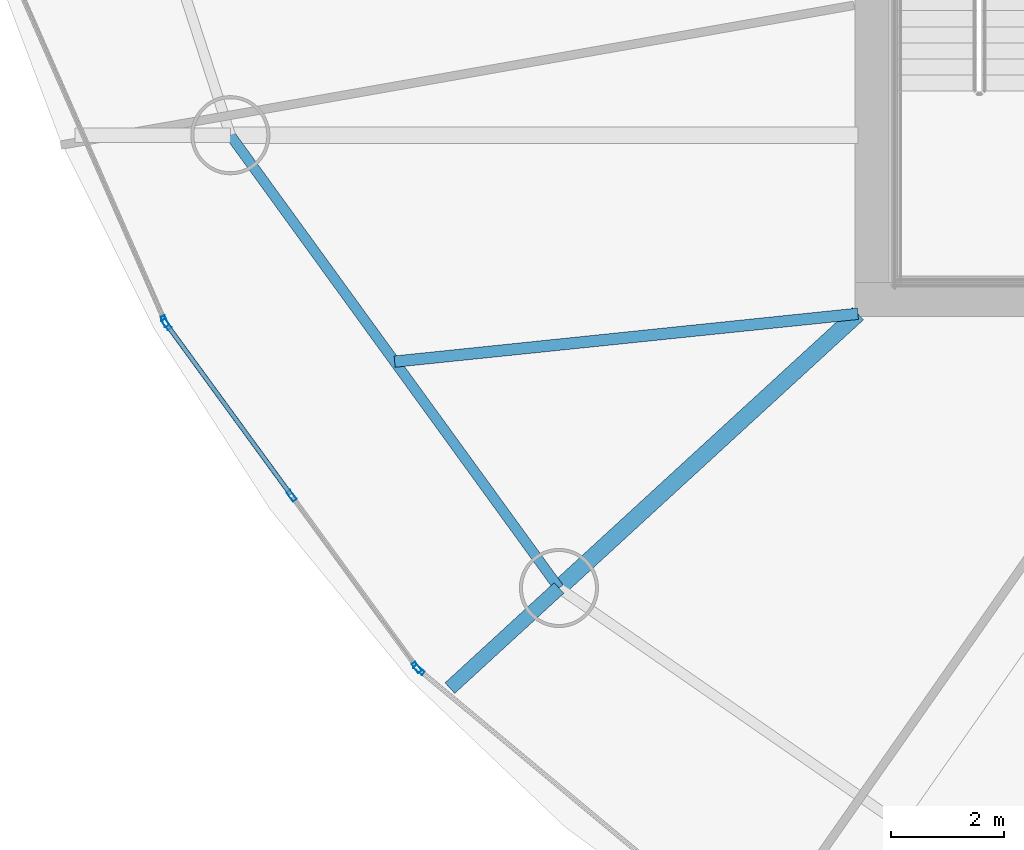
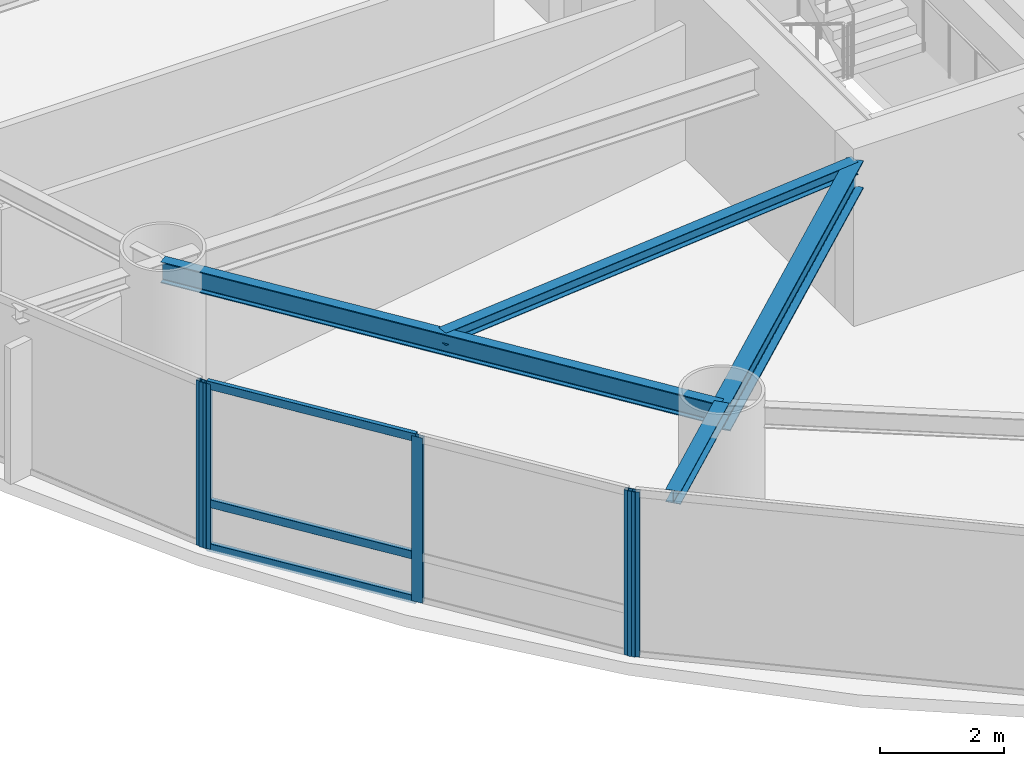
# One storey, part 3 of 23: 8 members, 4 beams, 3 elements without a shape of their own.
"""IFC4 building model written with IfcOpenShell, lengths in metres."""

from ifc_helpers import new_model, si_unit, direction, frame, origin, origin_2d, place, context, subcontext, project, spatial, hollow_rectangle, i_section, extrude, material, layer, layer_set, material_profile, profile_set, type_object, element, aggregate, save


model = new_model("IFC4")

# Units and contexts
model_context = context("Model", 3, precision=1e-05, world=origin(), true_north=direction((0.0, 1.0)))
body_context = subcontext(model_context, "Body", "Model", "MODEL_VIEW")
ifc_project = project(units=[si_unit("LENGTHUNIT", "METRE"), si_unit("AREAUNIT", "SQUARE_METRE"), si_unit("VOLUMEUNIT", "CUBIC_METRE"), si_unit("PLANEANGLEUNIT", "RADIAN"), si_unit("MASSUNIT", "GRAM", prefix="KILO")], contexts=[model_context])

# Site, building, storey
site_placement = place(None, origin())
site = spatial("IfcSite", under=ifc_project, at=site_placement, CompositionType="ELEMENT")
building_placement = place(site_placement, origin())
building = spatial("IfcBuilding", under=site, at=building_placement, Name="Bramvorn Convention Spire", CompositionType="ELEMENT")
storey_placement = place(building_placement, frame((0.0, 0.0, 158.800048828125)))
storey = spatial("IfcBuildingStorey", under=building, at=storey_placement, Name="L40", CompositionType="ELEMENT", Elevation=158.800048828125)

# Beams
ifc_material_1 = material(Name="Steel CSA G40.21 Grade 350 (350W)", Category="steel")
ifc_material_profile_1 = material_profile(ifc_material_1, i_section(OverallWidth=0.201904296875, OverallDepth=0.2470703125, WebThickness=0.00732421875, FlangeThickness=0.010986328125, FilletRadius=0.011962890625, at=origin_2d()))
ifc_profile_set_1 = profile_set([ifc_material_profile_1], Name="Steel CSA G40.21 Grade 350 (350W) - W250X49")
beam_type_1 = type_object("IfcBeamType", Name="BM-W250X49", PredefinedType="JOIST", material=ifc_profile_set_1)
beam_1_placement = place(storey_placement, frame((26.75, 18.550048828125, 3.136474609375), z_axis=(-0.994705076194, -0.102770673804, 0.0), x_axis=(0.102770673804, -0.994705076194, 0.0)))
element("IfcBeam", 1, at=beam_1_placement, inside=storey, type_object=beam_type_1, Name="L40 composite floor joist 11", PredefinedType="JOIST", context=body_context, shape_type="SweptSolid", body=[
    extrude(i_section(OverallWidth=0.201904296875, OverallDepth=0.2470703125, WebThickness=0.00732421875, FlangeThickness=0.010986328125, FilletRadius=0.011962890625, at=origin_2d()), origin(), (0.0, 0.0, 1.0), 8.23388671875),
])
ifc_material_profile_2 = material_profile(ifc_material_1, i_section(OverallWidth=0.25390625, OverallDepth=0.2529296875, WebThickness=0.008544921875, FlangeThickness=0.01416015625, FilletRadius=0.011962890625, at=origin_2d()))
ifc_profile_set_2 = profile_set([ifc_material_profile_2], Name="Steel CSA G40.21 Grade 350 (350W) - W250X73")
beam_type_2 = type_object("IfcBeamType", Name="BM-W250X73", PredefinedType="BEAM", material=ifc_profile_set_2)
beam_2_placement = place(storey_placement, frame((21.465087890625, 13.700927734375, 3.133544921875), z_axis=(-0.736809527921, -0.676100376842, 0.0), x_axis=(0.676100376842, -0.736809527921, 0.0)))
element("IfcBeam", 2, at=beam_2_placement, inside=storey, type_object=beam_type_2, Name="L40 slab-edge cantilever tip beam MC12", PredefinedType="BEAM", context=body_context, shape_type="SweptSolid", body=[
    extrude(i_section(OverallWidth=0.25390625, OverallDepth=0.2529296875, WebThickness=0.008544921875, FlangeThickness=0.01416015625, FilletRadius=0.011962890625, at=origin_2d()), origin(), (0.0, 0.0, 1.0), 2.617919921875),
])
ifc_material_profile_3 = material_profile(ifc_material_1, i_section(OverallWidth=0.180908203125, OverallDepth=0.4169921875, WebThickness=0.010986328125, FlangeThickness=0.018310546875, FilletRadius=0.01611328125, at=origin_2d()))
ifc_profile_set_3 = profile_set([ifc_material_profile_3], Name="Steel CSA G40.21 Grade 350 (350W) - W410X85")
beam_type_3 = type_object("IfcBeamType", Name="BM-W410X85", PredefinedType="JOIST", material=ifc_profile_set_3)
beam_3_placement = place(storey_placement, frame((15.654296875, 21.706787109375, 3.051513671875), z_axis=(0.587401024629, -0.809296012757, 0.0), x_axis=(0.809296012757, 0.587401024629, 0.0)))
element("IfcBeam", 3, at=beam_3_placement, inside=storey, type_object=beam_type_3, Name="L40 mega-column ring beam 11", PredefinedType="JOIST", context=body_context, shape_type="SweptSolid", body=[
    extrude(i_section(OverallWidth=0.180908203125, OverallDepth=0.4169921875, WebThickness=0.010986328125, FlangeThickness=0.018310546875, FilletRadius=0.01611328125, at=origin_2d()), origin(), (0.0, 0.0, 1.0), 9.892333984375),
])
ifc_material_profile_4 = material_profile(ifc_material_1, i_section(OverallWidth=0.2919921875, OverallDepth=0.551025390625, WebThickness=0.01513671875, FlangeThickness=0.0244140625, FilletRadius=0.01904296875, at=origin_2d()))
ifc_profile_set_4 = profile_set([ifc_material_profile_4], Name="Steel CSA G40.21 Grade 350 (350W) - W530X182")
beam_type_4 = type_object("IfcBeamType", Name="BM-W530X182", PredefinedType="BEAM", material=ifc_profile_set_4)
beam_4_placement = place(storey_placement, frame((26.75, 18.550048828125, 2.984375), z_axis=(-0.736833323746, -0.676074443399, 0.0), x_axis=(0.676074443399, -0.736833323746, 0.0)))
element("IfcBeam", 4, at=beam_4_placement, inside=storey, type_object=beam_type_4, Name="L40 radial floor girder MC12", PredefinedType="BEAM", context=body_context, shape_type="SweptSolid", body=[
    extrude(i_section(OverallWidth=0.2919921875, OverallDepth=0.551025390625, WebThickness=0.01513671875, FlangeThickness=0.0244140625, FilletRadius=0.01904296875, at=origin_2d()), origin(), (0.0, 0.0, 1.0), 7.17236328125),
])

# Curtain wall, member
ifc_material_2 = material(Name="Anodised Bronze Unitised Curtain Wall", Category="aluminium")
ifc_layer = layer(ifc_material_2, 0.179931640625)
ifc_layer_set = layer_set([ifc_layer], Name="Anodised Bronze Unitised Curtain Wall - CW-HTL-FRIT")
curtain_wall_type = type_object("IfcCurtainWallType", Name="CW-HTL-FRIT", PredefinedType="USERDEFINED", material=ifc_layer_set)
curtain_wall_1_placement = place(storey_placement, origin())
curtain_wall_1 = element("IfcCurtainWall", 5, at=curtain_wall_1_placement, inside=storey, type_object=curtain_wall_type, Name="L40 fritted glass curtain wall 16", ObjectType="UNITISED CURTAIN WALL", PredefinedType="USERDEFINED")
ifc_material_3 = material(Name="Anodised Bronze Aluminium 6063-T6", Category="aluminium")
ifc_material_profile_5 = material_profile(ifc_material_3, hollow_rectangle(XDim=0.080078125, YDim=0.199951171875, WallThickness=0.00390625, InnerFilletRadius=0.0009765625, OuterFilletRadius=0.00390625, at=origin_2d()))
ifc_profile_set_5 = profile_set([ifc_material_profile_5], Name="Anodised Bronze Aluminium 6063-T6 - CWM80X200")
member_type_1 = type_object("IfcMemberType", Name="CW-MUL-180", PredefinedType="MULLION", material=ifc_profile_set_5)
member_1_placement = place(storey_placement, frame((14.49609375, 18.416748046875, 0.0), z_axis=(0.0, 0.0, 1.0), x_axis=(-0.915840415755, -0.401542442178, 0.0)))
member_1 = element("IfcMember", 6, at=member_1_placement, type_object=member_type_1, Name="CW2 mullion 1", PredefinedType="MULLION", context=body_context, shape_type="SweptSolid", body=[
    extrude(hollow_rectangle(XDim=0.080078125, YDim=0.199951171875, WallThickness=0.00390625, InnerFilletRadius=0.0009765625, OuterFilletRadius=0.00390625, at=origin_2d()), origin(), (0.0, 0.0, 1.0), 3.260009765625),
])
aggregate(curtain_wall_1, [member_1])

# Curtain wall, members
curtain_wall_2_placement = place(storey_placement, origin())
curtain_wall_2 = element("IfcCurtainWall", 7, at=curtain_wall_2_placement, inside=storey, type_object=curtain_wall_type, Name="L40 fritted glass curtain wall 17", ObjectType="UNITISED CURTAIN WALL", PredefinedType="USERDEFINED")
member_2_placement = place(storey_placement, frame((18.9501953125, 12.297607421875, 0.0), z_axis=(0.0, 0.0, 1.0), x_axis=(-0.807991020163, -0.589194799142, 0.0)))
member_2 = element("IfcMember", 8, at=member_2_placement, type_object=member_type_1, Name="CW2 mullion 1", PredefinedType="MULLION", context=body_context, shape_type="SweptSolid", body=[
    extrude(hollow_rectangle(XDim=0.080078125, YDim=0.199951171875, WallThickness=0.00390625, InnerFilletRadius=0.0009765625, OuterFilletRadius=0.00390625, at=origin_2d()), origin(), (0.0, 0.0, 1.0), 3.260009765625),
])
member_3_placement = place(storey_placement, frame((16.738037109375, 15.331298828125, 0.0), z_axis=(0.0, 0.0, 1.0), x_axis=(-0.807991020163, -0.589194799142, 0.0)))
member_3 = element("IfcMember", 9, at=member_3_placement, type_object=member_type_1, Name="CW2 mullion 2", PredefinedType="MULLION", context=body_context, shape_type="SweptSolid", body=[
    extrude(hollow_rectangle(XDim=0.080078125, YDim=0.199951171875, WallThickness=0.00390625, InnerFilletRadius=0.0009765625, OuterFilletRadius=0.00390625, at=origin_2d()), origin(), (0.0, 0.0, 1.0), 3.260009765625),
])
member_4_placement = place(storey_placement, frame((14.52587890625, 18.364990234375, 0.0), z_axis=(0.0, 0.0, 1.0), x_axis=(-0.807991020163, -0.589194799142, 0.0)))
member_4 = element("IfcMember", 10, at=member_4_placement, type_object=member_type_1, Name="CW2 mullion 3", PredefinedType="MULLION", context=body_context, shape_type="SweptSolid", body=[
    extrude(hollow_rectangle(XDim=0.080078125, YDim=0.199951171875, WallThickness=0.00390625, InnerFilletRadius=0.0009765625, OuterFilletRadius=0.00390625, at=origin_2d()), origin(), (0.0, 0.0, 1.0), 3.260009765625),
])

# Curtain wall, member
curtain_wall_3_placement = place(storey_placement, origin())
curtain_wall_3 = element("IfcCurtainWall", 11, at=curtain_wall_3_placement, inside=storey, type_object=curtain_wall_type, Name="L40 fritted glass curtain wall 18", ObjectType="UNITISED CURTAIN WALL", PredefinedType="USERDEFINED")
member_5_placement = place(storey_placement, frame((18.990966796875, 12.254150390625, 0.0), z_axis=(0.0, 0.0, 1.0), x_axis=(-0.640070762109, -0.768315963321, 0.0)))
member_5 = element("IfcMember", 12, at=member_5_placement, type_object=member_type_1, Name="CW2 mullion 2", PredefinedType="MULLION", context=body_context, shape_type="SweptSolid", body=[
    extrude(hollow_rectangle(XDim=0.080078125, YDim=0.199951171875, WallThickness=0.00390625, InnerFilletRadius=0.0009765625, OuterFilletRadius=0.00390625, at=origin_2d()), origin(), (0.0, 0.0, 1.0), 3.260009765625),
])
aggregate(curtain_wall_3, [member_5])

# Member
ifc_material_profile_6 = material_profile(ifc_material_3, hollow_rectangle(XDim=0.080078125, YDim=0.159912109375, WallThickness=0.00390625, InnerFilletRadius=0.0009765625, OuterFilletRadius=0.00390625, at=origin_2d()))
ifc_profile_set_6 = profile_set([ifc_material_profile_6], Name="Anodised Bronze Aluminium 6063-T6 - CWT80X160")
member_type_2 = type_object("IfcMemberType", Name="CW-TRN-150", PredefinedType="USERDEFINED", material=ifc_profile_set_6)
member_6_placement = place(storey_placement, frame((16.72021484375, 15.35546875, 0.030029296875), z_axis=(-0.589161372027, 0.808015394476, 0.0), x_axis=(-0.808015394476, -0.589161372027, 0.0)))
member_6 = element("IfcMember", 13, at=member_6_placement, type_object=member_type_2, Name="CW2 transom 2.1", ObjectType="TRANSOM", PredefinedType="USERDEFINED", context=body_context, shape_type="SweptSolid", body=[
    extrude(hollow_rectangle(XDim=0.080078125, YDim=0.159912109375, WallThickness=0.00390625, InnerFilletRadius=0.0009765625, OuterFilletRadius=0.00390625, at=origin_2d()), origin(), (0.0, 0.0, 1.0), 3.694580078125),
])

member_7_placement = place(storey_placement, frame((16.72021484375, 15.35546875, 0.89990234375), z_axis=(-0.589161372027, 0.808015394476, 0.0), x_axis=(-0.808015394476, -0.589161372027, 0.0)))
member_7 = element("IfcMember", 14, at=member_7_placement, type_object=member_type_2, Name="CW2 transom 2.2", ObjectType="TRANSOM", PredefinedType="USERDEFINED", context=body_context, shape_type="SweptSolid", body=[
    extrude(hollow_rectangle(XDim=0.080078125, YDim=0.159912109375, WallThickness=0.00390625, InnerFilletRadius=0.0009765625, OuterFilletRadius=0.00390625, at=origin_2d()), origin(), (0.0, 0.0, 1.0), 3.694580078125),
])

member_8_placement = place(storey_placement, frame((16.72021484375, 15.35546875, 3.22998046875), z_axis=(-0.589161372027, 0.808015394476, 0.0), x_axis=(-0.808015394476, -0.589161372027, 0.0)))
member_8 = element("IfcMember", 15, at=member_8_placement, type_object=member_type_2, Name="CW2 transom 2.3", ObjectType="TRANSOM", PredefinedType="USERDEFINED", context=body_context, shape_type="SweptSolid", body=[
    extrude(hollow_rectangle(XDim=0.080078125, YDim=0.159912109375, WallThickness=0.00390625, InnerFilletRadius=0.0009765625, OuterFilletRadius=0.00390625, at=origin_2d()), origin(), (0.0, 0.0, 1.0), 3.694580078125),
])

aggregate(curtain_wall_2, [member_2, member_3, member_4, member_6, member_7, member_8])

save(model, "model.ifc")
